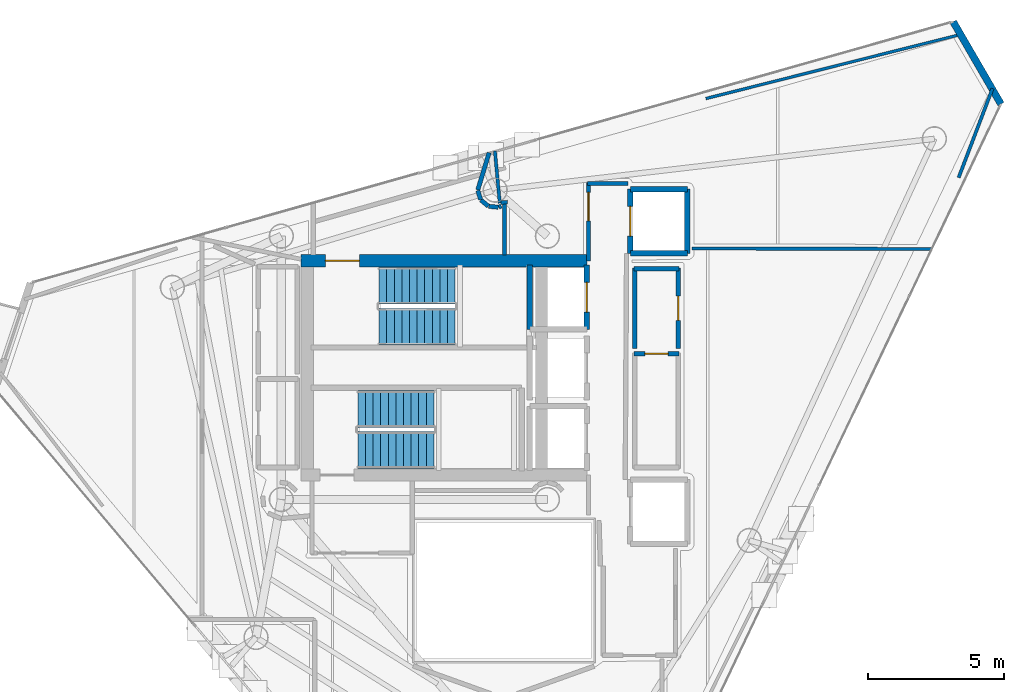
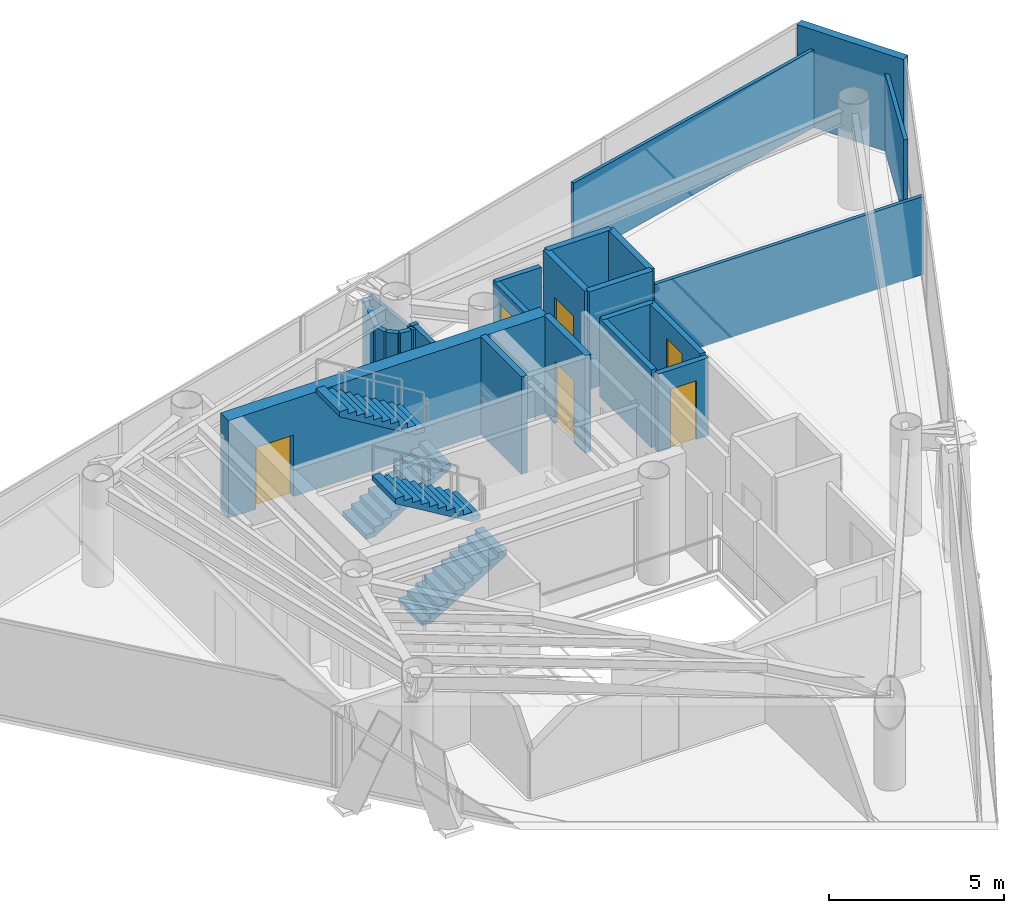
# One storey, part 18 of 20: 25 walls, 6 doors, 4 stair flights, 6 openings, 2 elements without a shape of their own.
"""IFC4 building model written with IfcOpenShell, lengths in metres."""

from ifc_helpers import new_model, si_unit, direction, frame, frame_2d, origin, place, context, subcontext, project, spatial, polyline, rectangle, outline, extrude, material, layer, layer_set, type_object, element, fill, aggregate, save


model = new_model("IFC4")

# Units and contexts
model_context = context("Model", 3, precision=1e-05, world=origin(), true_north=direction((0.0, 1.0)))
body_context = subcontext(model_context, "Body", "Model", "MODEL_VIEW")
ifc_project = project(units=[si_unit("LENGTHUNIT", "METRE"), si_unit("AREAUNIT", "SQUARE_METRE"), si_unit("VOLUMEUNIT", "CUBIC_METRE"), si_unit("PLANEANGLEUNIT", "RADIAN"), si_unit("MASSUNIT", "GRAM", prefix="KILO")], contexts=[model_context])

# Site, building, storey
site_placement = place(None, origin())
site = spatial("IfcSite", under=ifc_project, at=site_placement, CompositionType="ELEMENT")
building_placement = place(site_placement, origin())
building = spatial("IfcBuilding", under=site, at=building_placement, Name="Qianvela Tower", CompositionType="ELEMENT")
storey_placement = place(building_placement, frame((0.0, 0.0, 317.60009765625)))
storey = spatial("IfcBuildingStorey", under=building, at=storey_placement, Name="L82", CompositionType="ELEMENT", Elevation=317.60009765625)

# Wall
ifc_material_1 = material(Name="Terracotta Cladding on Concrete C40", Category="masonry")
ifc_layer_1 = layer(ifc_material_1, 0.260009765625)
ifc_layer_set_1 = layer_set([ifc_layer_1], Name="Terracotta Cladding on Concrete C40")
wall_type_1 = type_object("IfcWallType", Name="TERRACOTTA-WALL-260", PredefinedType="SOLIDWALL", material=ifc_layer_set_1)
wall_1_placement = place(storey_placement, frame((55.100830078125, 38.416259765625, 0.0), z_axis=(0.0, 0.0, 1.0), x_axis=(-0.502036281823, 0.864846559647, 0.0)))
element("IfcWall", 1, at=wall_1_placement, inside=storey, type_object=wall_type_1, Name="L82 Terracotta Chamfer Facet Wall 1", PredefinedType="SOLIDWALL", context=body_context, shape_type="SweptSolid", body=[
    extrude(rectangle(XDim=3.501953125, YDim=0.260009765625, at=frame_2d((1.7509765625, 0.0))), origin(), (0.0, 0.0, 1.0), 3.39990234375),
])

# Wall, opening, door
ifc_material_2 = material(Name="Concrete C50", Category="concrete")
ifc_layer_2 = layer(ifc_material_2, 0.449951171875)
ifc_layer_set_2 = layer_set([ifc_layer_2], Name="Concrete C50")
wall_type_2 = type_object("IfcWallType", Name="WT-CORE-450", PredefinedType="SHEAR", material=ifc_layer_set_2)
wall_2_placement = place(storey_placement, frame((29.330078125, 32.64501953125, 0.0), z_axis=(0.0, 0.0, 1.0), x_axis=(1.0, 0.0, 0.0)))
wall_2 = element("IfcWall", 2, at=wall_2_placement, inside=storey, type_object=wall_type_2, Name="L82 North Core Shear Wall", PredefinedType="SHEAR", context=body_context, shape_type="SweptSolid", body=[
    extrude(rectangle(XDim=10.52001953125, YDim=0.449951171875, at=frame_2d((5.260009765625, 0.0))), origin(), (0.0, 0.0, 1.0), 3.39990234375),
])
opening_1_placement = place(wall_2_placement, frame((0.89501953125, 0.0, 0.0)))
opening_1 = element("IfcOpeningElement", 3, at=opening_1_placement, cuts=wall_2, Name="Opening D-ST1", PredefinedType="OPENING", context=body_context, shape_type="SweptSolid", body=[
    extrude(rectangle(XDim=1.25, YDim=2.14990234375, at=frame_2d((0.625, 1.074951171875))), frame((0.0, 0.23486328125, 0.0), z_axis=(0.0, -1.0, 0.0), x_axis=(1.0, 0.0, 0.0)), (0.0, 0.0, 1.0), 0.469970703125),
])
ifc_material_3 = material(Name="Galvanised Fire Steel Q355B", Category="steel")
door_type_1 = type_object("IfcDoorType", Name="DT-STAIR-FD90", OperationType="NOTDEFINED", PredefinedType="DOOR", material=ifc_material_3)
door_1_placement = place(opening_1_placement, origin())
door_1 = element("IfcDoor", 4, at=door_1_placement, inside=storey, type_object=door_type_1, Name="L82 Stair ST-1 Exit Door", OperationType="SINGLE_SWING_RIGHT", OverallHeight=2.14990234375, OverallWidth=1.25, PredefinedType="DOOR", context=body_context, shape_type="SweptSolid", body=[
    extrude(rectangle(XDim=1.25, YDim=2.14990234375, at=frame_2d((0.625, 1.074951171875))), frame((0.0, 0.02490234375, 0.0), z_axis=(0.0, -1.0, 0.0), x_axis=(1.0, 0.0, 0.0)), (0.0, 0.0, 1.0), 0.050048828125),
])
fill(opening_1, door_1)

# Walls
ifc_material_4 = material(Name="Fire-Rated Gypsum and Concrete Block", Category="concrete")
ifc_layer_3 = layer(ifc_material_4, 0.159912109375)
ifc_layer_set_3 = layer_set([ifc_layer_3], Name="Fire-Rated Gypsum and Concrete Block")
wall_type_3 = type_object("IfcWallType", Name="WT-CORR-160", PredefinedType="PARTITIONING", material=ifc_layer_set_3)
wall_3_placement = place(storey_placement, frame((36.25244140625, 36.6240234375, 0.0), z_axis=(0.0, 0.0, 1.0), x_axis=(-0.290314558178, -0.956931270944, 0.0)))
element("IfcWall", 5, at=wall_3_placement, inside=storey, type_object=wall_type_3, Name="L82 Partition 4", PredefinedType="PARTITIONING", context=body_context, shape_type="SweptSolid", body=[
    extrude(rectangle(XDim=1.433837890625, YDim=0.159912109375, at=frame_2d((0.716796875, 0.0))), origin(), (0.0, 0.0, 1.0), 2.719970703125),
])
wall_4_placement = place(storey_placement, frame((35.836181640625, 35.23388671875, 0.0), z_axis=(0.0, 0.0, 1.0), x_axis=(0.29088731233, -0.956757321124, 0.0)))
element("IfcWall", 6, at=wall_4_placement, inside=storey, type_object=wall_type_3, Name="L82 Partition 5", PredefinedType="PARTITIONING", context=body_context, shape_type="SweptSolid", body=[
    extrude(rectangle(XDim=0.354248046875, YDim=0.159912109375, at=frame_2d((0.17724609375, 0.0))), origin(), (0.0, 0.0, 1.0), 2.719970703125),
])
wall_5_placement = place(storey_placement, frame((35.94921875, 34.880126953125, 0.0), z_axis=(0.0, 0.0, 1.0), x_axis=(0.77300400279, -0.634401144128, 0.0)))
element("IfcWall", 7, at=wall_5_placement, inside=storey, type_object=wall_type_3, Name="L82 Partition 6", PredefinedType="PARTITIONING", context=body_context, shape_type="SweptSolid", body=[
    extrude(rectangle(XDim=0.35400390625, YDim=0.159912109375, at=frame_2d((0.177001953125, 0.0))), origin(), (0.0, 0.0, 1.0), 2.719970703125),
])
wall_6_placement = place(storey_placement, frame((36.239501953125, 34.648681640625, 0.0), z_axis=(0.0, 0.0, 1.0), x_axis=(0.995199611942, -0.097865889817, 0.0)))
element("IfcWall", 8, at=wall_6_placement, inside=storey, type_object=wall_type_3, Name="L82 Partition 7", PredefinedType="PARTITIONING", context=body_context, shape_type="SweptSolid", body=[
    extrude(rectangle(XDim=0.354248046875, YDim=0.159912109375, at=frame_2d((0.17724609375, 0.0))), origin(), (0.0, 0.0, 1.0), 2.719970703125),
])
wall_7_placement = place(storey_placement, frame((36.608154296875, 34.61669921875, 0.0), z_axis=(0.0, 0.0, 1.0), x_axis=(0.905429465341, 0.424496741203, 0.0)))
element("IfcWall", 9, at=wall_7_placement, inside=storey, type_object=wall_type_3, Name="L82 Partition 8", PredefinedType="PARTITIONING", context=body_context, shape_type="SweptSolid", body=[
    extrude(rectangle(XDim=0.099609375, YDim=0.159912109375, at=frame_2d((0.0498046875, 0.0))), origin(), (0.0, 0.0, 1.0), 2.719970703125),
])
wall_8_placement = place(storey_placement, frame((36.819091796875, 34.7646484375, 0.0), z_axis=(0.0, 0.0, 1.0), x_axis=(0.0, -1.0, 0.0)))
element("IfcWall", 10, at=wall_8_placement, inside=storey, type_object=wall_type_3, Name="L82 Partition 9", PredefinedType="PARTITIONING", context=body_context, shape_type="SweptSolid", body=[
    extrude(rectangle(XDim=1.90673828125, YDim=0.159912109375, at=frame_2d((0.953369140625, 0.0))), origin(), (0.0, 0.0, 1.0), 2.719970703125),
])

# Wall, opening, door
wall_9_placement = place(storey_placement, frame((39.910888671875, 32.639892578125, 0.0), z_axis=(0.0, 0.0, 1.0), x_axis=(0.0, 1.0, 0.0)))
wall_9 = element("IfcWall", 11, at=wall_9_placement, inside=storey, type_object=wall_type_3, Name="L82 Partition 20", PredefinedType="PARTITIONING", context=body_context, shape_type="SweptSolid", body=[
    extrude(rectangle(XDim=2.880126953125, YDim=0.159912109375, at=frame_2d((1.43994140625, 0.0))), origin(), (0.0, 0.0, 1.0), 2.719970703125),
])
opening_2_placement = place(wall_9_placement, frame((1.47509765625, 0.0, 0.0)))
opening_2 = element("IfcOpeningElement", 12, at=opening_2_placement, cuts=wall_9, Name="Opening D-PL1", PredefinedType="OPENING", context=body_context, shape_type="SweptSolid", body=[
    extrude(rectangle(XDim=1.050048828125, YDim=2.14990234375, at=frame_2d((0.52490234375, 1.074951171875))), frame((0.0, 0.08984375, 0.0), z_axis=(0.0, -1.0, 0.0), x_axis=(1.0, 0.0, 0.0)), (0.0, 0.0, 1.0), 0.179931640625),
])
ifc_material_5 = material(Name="Insulated Steel Fire Door Q355B", Category="steel")
door_type_2 = type_object("IfcDoorType", Name="DT-PLANT-FD90", OperationType="NOTDEFINED", PredefinedType="DOOR", material=ifc_material_5)
door_2_placement = place(opening_2_placement, origin())
door_2 = element("IfcDoor", 13, at=door_2_placement, inside=storey, type_object=door_type_2, Name="L82 Door Commons Day Lounge L82-04 to L82 Lift Lobby", OperationType="SINGLE_SWING_LEFT", OverallHeight=2.14990234375, OverallWidth=1.050048828125, PredefinedType="DOOR", context=body_context, shape_type="SweptSolid", body=[
    extrude(rectangle(XDim=1.050048828125, YDim=2.14990234375, at=frame_2d((0.52490234375, 1.074951171875))), frame((0.0, 0.02490234375, 0.0), z_axis=(0.0, -1.0, 0.0), x_axis=(1.0, 0.0, 0.0)), (0.0, 0.0, 1.0), 0.050048828125),
])
fill(opening_2, door_2)

# Walls
wall_10_placement = place(storey_placement, frame((39.8798828125, 35.489013671875, 0.0), z_axis=(0.0, 0.0, 1.0), x_axis=(1.0, 0.0, 0.0)))
element("IfcWall", 14, at=wall_10_placement, inside=storey, type_object=wall_type_3, Name="L82 Partition 21", PredefinedType="PARTITIONING", context=body_context, shape_type="SweptSolid", body=[
    extrude(rectangle(XDim=1.480224609375, YDim=0.159912109375, at=frame_2d((0.740234375, 0.0))), origin(), (0.0, 0.0, 1.0), 2.719970703125),
])
ifc_material_6 = material(Name="Lightweight Gypsum Room Partition")
ifc_layer_4 = layer(ifc_material_6, 0.10498046875)
ifc_layer_set_4 = layer_set([ifc_layer_4], Name="Lightweight Gypsum Room Partition")
wall_type_4 = type_object("IfcWallType", Name="WT-PART-105", PredefinedType="PARTITIONING", material=ifc_layer_set_4)
wall_11_placement = place(storey_placement, frame((44.235595703125, 38.6171875, 0.0), z_axis=(0.0, 0.0, 1.0), x_axis=(0.969806681955, 0.243874967219, 0.0)))
element("IfcWall", 15, at=wall_11_placement, inside=storey, type_object=wall_type_4, Name="L82 Partition 102 seg 2", PredefinedType="PARTITIONING", context=body_context, shape_type="SweptSolid", body=[
    extrude(rectangle(XDim=9.691650390625, YDim=0.10498046875, at=frame_2d((4.845703125, 0.0))), origin(), (0.0, 0.0, 1.0), 2.719970703125),
])
ifc_material_7 = material(Name="Insulated Gypsum Stud Partition")
ifc_layer_5 = layer(ifc_material_7, 0.1201171875)
ifc_layer_set_5 = layer_set([ifc_layer_5], Name="Insulated Gypsum Stud Partition")
wall_type_5 = type_object("IfcWallType", Name="WT-PART-120", PredefinedType="PARTITIONING", material=ifc_layer_set_5)
wall_12_placement = place(storey_placement, frame((43.719970703125, 33.09619140625, 0.0), z_axis=(0.0, 0.0, 1.0), x_axis=(0.999997687984, -0.0021503548, 0.0)))
element("IfcWall", 16, at=wall_12_placement, inside=storey, type_object=wall_type_5, Name="L82 Partition 92", PredefinedType="PARTITIONING", context=body_context, shape_type="SweptSolid", body=[
    extrude(rectangle(XDim=8.855712890625, YDim=0.1201171875, at=frame_2d((4.427734375, 0.0))), origin(), (0.0, 0.0, 1.0), 2.719970703125),
])
wall_13_placement = place(storey_placement, frame((54.78955078125, 38.985595703125, 0.0), z_axis=(0.0, 0.0, 1.0), x_axis=(-0.355312580214, -0.93474754364, 0.0)))
element("IfcWall", 17, at=wall_13_placement, inside=storey, type_object=wall_type_5, Name="L82 Partition 104 seg 1", PredefinedType="PARTITIONING", context=body_context, shape_type="SweptSolid", body=[
    extrude(rectangle(XDim=3.509765625, YDim=0.1201171875, at=frame_2d((1.7548828125, 0.0))), origin(), (0.0, 0.0, 1.0), 2.719970703125),
])
wall_14_placement = place(storey_placement, frame((36.645263671875, 34.7646484375, 0.0), z_axis=(0.0, 0.0, 1.0), x_axis=(-0.093054792145, 0.995660989323, 0.0)))
element("IfcWall", 18, at=wall_14_placement, inside=storey, type_object=wall_type_5, Name="L82 Partition 113 seg 1", PredefinedType="PARTITIONING", context=body_context, shape_type="SweptSolid", body=[
    extrude(rectangle(XDim=1.930908203125, YDim=0.1201171875, at=frame_2d((0.96533203125, 0.0))), origin(), (0.0, 0.0, 1.0), 2.719970703125),
])

# Wall, opening, door
ifc_material_8 = material(Name="Moisture-Resistant Acoustic Plumbing Wall")
ifc_layer_6 = layer(ifc_material_8, 0.175048828125)
ifc_layer_set_6 = layer_set([ifc_layer_6], Name="Moisture-Resistant Acoustic Plumbing Wall")
wall_type_6 = type_object("IfcWallType", Name="WT-PLUMB-175", PredefinedType="PLUMBINGWALL", material=ifc_layer_set_6)
wall_15_placement = place(storey_placement, frame((41.580078125, 29.218994140625, 0.0), z_axis=(0.0, 0.0, 1.0), x_axis=(1.0, 0.0, 0.0)))
wall_15 = element("IfcWall", 19, at=wall_15_placement, inside=storey, type_object=wall_type_6, Name="L82 Partition 29", PredefinedType="PLUMBINGWALL", context=body_context, shape_type="SweptSolid", body=[
    extrude(rectangle(XDim=1.669921875, YDim=0.175048828125, at=frame_2d((0.8349609375, 0.0))), origin(), (0.0, 0.0, 1.0), 2.719970703125),
])
opening_3_placement = place(wall_15_placement, frame((0.405029296875, 0.0, 0.0)))
opening_3 = element("IfcOpeningElement", 20, at=opening_3_placement, cuts=wall_15, Name="Opening D-WC1", PredefinedType="OPENING", context=body_context, shape_type="SweptSolid", body=[
    extrude(rectangle(XDim=0.860107421875, YDim=2.050048828125, at=frame_2d((0.43017578125, 1.02490234375))), frame((0.0, 0.097412109375, 0.0), z_axis=(0.0, -1.0, 0.0), x_axis=(1.0, 0.0, 0.0)), (0.0, 0.0, 1.0), 0.195068359375),
])
ifc_material_9 = material(Name="Moisture-Sealed Acoustic Timber Door", Category="wood")
door_type_3 = type_object("IfcDoorType", Name="DT-WC-860", OperationType="NOTDEFINED", PredefinedType="DOOR", material=ifc_material_9)
door_3_placement = place(opening_3_placement, origin())
door_3 = element("IfcDoor", 21, at=door_3_placement, inside=storey, type_object=door_type_3, Name="L82 Door L82 Accessible WC to L82 Shared Tea Pantry East", OperationType="SINGLE_SWING_LEFT", OverallHeight=2.050048828125, OverallWidth=0.860107421875, PredefinedType="DOOR", context=body_context, shape_type="SweptSolid", body=[
    extrude(rectangle(XDim=0.860107421875, YDim=2.050048828125, at=frame_2d((0.43017578125, 1.02490234375))), frame((0.0, 0.02490234375, 0.0), z_axis=(0.0, -1.0, 0.0), x_axis=(1.0, 0.0, 0.0)), (0.0, 0.0, 1.0), 0.050048828125),
])
fill(opening_3, door_3)

# Walls
wall_16_placement = place(storey_placement, frame((41.611083984375, 29.409912109375, 0.0), z_axis=(0.0, 0.0, 1.0), x_axis=(0.0, 1.0, 0.0)))
element("IfcWall", 22, at=wall_16_placement, inside=storey, type_object=wall_type_6, Name="L82 Partition 32", PredefinedType="PLUMBINGWALL", context=body_context, shape_type="SweptSolid", body=[
    extrude(rectangle(XDim=2.969970703125, YDim=0.175048828125, at=frame_2d((1.48486328125, 0.0))), origin(), (0.0, 0.0, 1.0), 2.719970703125),
])
wall_17_placement = place(storey_placement, frame((41.580078125, 32.34912109375, 0.0), z_axis=(0.0, 0.0, 1.0), x_axis=(1.0, 0.0, 0.0)))
element("IfcWall", 23, at=wall_17_placement, inside=storey, type_object=wall_type_6, Name="L82 Partition 33", PredefinedType="PLUMBINGWALL", context=body_context, shape_type="SweptSolid", body=[
    extrude(rectangle(XDim=1.669921875, YDim=0.175048828125, at=frame_2d((0.8349609375, 0.0))), origin(), (0.0, 0.0, 1.0), 2.719970703125),
])

# Wall, opening, door
wall_18_placement = place(storey_placement, frame((43.218994140625, 32.3798828125, 0.0), z_axis=(0.0, 0.0, 1.0), x_axis=(0.0, -1.0, 0.0)))
wall_18 = element("IfcWall", 24, at=wall_18_placement, inside=storey, type_object=wall_type_6, Name="L82 Partition 34", PredefinedType="PLUMBINGWALL", context=body_context, shape_type="SweptSolid", body=[
    extrude(rectangle(XDim=2.969970703125, YDim=0.175048828125, at=frame_2d((1.48486328125, 0.0))), origin(), (0.0, 0.0, 1.0), 2.719970703125),
])
opening_4_placement = place(wall_18_placement, frame((1.034912109375, 0.0, 0.0)))
opening_4 = element("IfcOpeningElement", 25, at=opening_4_placement, cuts=wall_18, Name="Opening D-KT1", PredefinedType="OPENING", context=body_context, shape_type="SweptSolid", body=[
    extrude(rectangle(XDim=0.89990234375, YDim=2.10009765625, at=frame_2d((0.449951171875, 1.050048828125))), frame((0.0, 0.097412109375, 0.0), z_axis=(0.0, -1.0, 0.0), x_axis=(1.0, 0.0, 0.0)), (0.0, 0.0, 1.0), 0.195068359375),
])
ifc_material_10 = material(Name="Glazed Timber Kitchen Door", Category="wood")
door_type_4 = type_object("IfcDoorType", Name="DT-KITCH-900", OperationType="NOTDEFINED", PredefinedType="DOOR", material=ifc_material_10)
door_4_placement = place(opening_4_placement, origin())
door_4 = element("IfcDoor", 26, at=door_4_placement, inside=storey, type_object=door_type_4, Name="L82 Door L82 Shared Tea Pantry East to Project Huddle Conference L82-02", OperationType="SINGLE_SWING_RIGHT", OverallHeight=2.10009765625, OverallWidth=0.89990234375, PredefinedType="DOOR", context=body_context, shape_type="SweptSolid", body=[
    extrude(rectangle(XDim=0.89990234375, YDim=2.10009765625, at=frame_2d((0.449951171875, 1.050048828125))), frame((0.0, 0.02490234375, 0.0), z_axis=(0.0, -1.0, 0.0), x_axis=(1.0, 0.0, 0.0)), (0.0, 0.0, 1.0), 0.050048828125),
])
fill(opening_4, door_4)

# Wall
ifc_material_11 = material(Name="Acoustic Double Gypsum Stud Partition")
ifc_layer_7 = layer(ifc_material_11, 0.139892578125)
ifc_layer_set_7 = layer_set([ifc_layer_7], Name="Acoustic Double Gypsum Stud Partition")
wall_type_7 = type_object("IfcWallType", Name="WT-ROOM-140", PredefinedType="PARTITIONING", material=ifc_layer_set_7)
wall_19_placement = place(storey_placement, frame((36.927734375, 34.8037109375, 0.0), z_axis=(0.0, 0.0, 1.0), x_axis=(-0.998281456217, -0.058601486101, 0.0)))
element("IfcWall", 27, at=wall_19_placement, inside=storey, type_object=wall_type_7, Name="L82 Partition 112 seg 1", PredefinedType="PARTITIONING", context=body_context, shape_type="SweptSolid", body=[
    extrude(rectangle(XDim=0.237548828125, YDim=0.139892578125, at=frame_2d((0.11865234375, 0.0))), origin(), (0.0, 0.0, 1.0), 2.719970703125),
])

# Wall, opening, door
ifc_material_12 = material(Name="Concrete C50", Category="concrete")
ifc_layer_8 = layer(ifc_material_12, 0.199951171875)
ifc_layer_set_8 = layer_set([ifc_layer_8], Name="Concrete C50")
wall_type_8 = type_object("IfcWallType", Name="WT-SHAFT-200", PredefinedType="SOLIDWALL", material=ifc_layer_set_8)
wall_20_placement = place(storey_placement, frame((39.85009765625, 30.1201171875, 0.0), z_axis=(0.0, 0.0, 1.0), x_axis=(0.0, 1.0, 0.0)))
wall_20 = element("IfcWall", 28, at=wall_20_placement, inside=storey, type_object=wall_type_8, Name="L82 Lift FL-1 E Shaft Wall", PredefinedType="SOLIDWALL", context=body_context, shape_type="SweptSolid", body=[
    extrude(rectangle(XDim=2.35986328125, YDim=0.199951171875, at=frame_2d((1.179931640625, 0.0))), origin(), (0.0, 0.0, 1.0), 3.39990234375),
])
opening_5_placement = place(wall_20_placement, frame((0.6298828125, 0.0, 0.0)))
opening_5 = element("IfcOpeningElement", 29, at=opening_5_placement, cuts=wall_20, Name="Opening LD-01", PredefinedType="OPENING", context=body_context, shape_type="SweptSolid", body=[
    extrude(rectangle(XDim=1.10009765625, YDim=2.14990234375, at=frame_2d((0.550048828125, 1.074951171875))), frame((0.0, 0.10986328125, 0.0), z_axis=(0.0, -1.0, 0.0), x_axis=(1.0, 0.0, 0.0)), (0.0, 0.0, 1.0), 0.219970703125),
])
ifc_material_13 = material(Name="Brushed Stainless Steel Lift Landing Door", Category="steel")
door_type_5 = type_object("IfcDoorType", Name="DT-LIFT-SLIDE-1100", OperationType="SLIDING_TO_LEFT", PredefinedType="DOOR", material=ifc_material_13)
door_5_placement = place(opening_5_placement, origin())
door_5 = element("IfcDoor", 30, at=door_5_placement, inside=storey, type_object=door_type_5, Name="L82 Lift FL-1 Sliding Landing Door", OperationType="SLIDING_TO_LEFT", OverallHeight=2.14990234375, OverallWidth=1.10009765625, PredefinedType="DOOR", context=body_context, shape_type="SweptSolid", body=[
    extrude(rectangle(XDim=1.10009765625, YDim=2.14990234375, at=frame_2d((0.550048828125, 1.074951171875))), frame((0.0, 0.02490234375, 0.0), z_axis=(0.0, -1.0, 0.0), x_axis=(1.0, 0.0, 0.0)), (0.0, 0.0, 1.0), 0.050048828125),
])
fill(opening_5, door_5)

# Walls
wall_21_placement = place(storey_placement, frame((37.75, 30.1201171875, 0.0), z_axis=(0.0, 0.0, 1.0), x_axis=(0.0, 1.0, 0.0)))
element("IfcWall", 31, at=wall_21_placement, inside=storey, type_object=wall_type_8, Name="L82 Lift FL-1 W Shaft Wall", PredefinedType="SOLIDWALL", context=body_context, shape_type="SweptSolid", body=[
    extrude(rectangle(XDim=2.35986328125, YDim=0.199951171875, at=frame_2d((1.179931640625, 0.0))), origin(), (0.0, 0.0, 1.0), 3.39990234375),
])
wall_22_placement = place(storey_placement, frame((43.550048828125, 32.919921875, 0.0), z_axis=(0.0, 0.0, 1.0), x_axis=(0.0, 1.0, 0.0)))
element("IfcWall", 32, at=wall_22_placement, inside=storey, type_object=wall_type_8, Name="L82 Lift PL-H3 E Shaft Wall", PredefinedType="SOLIDWALL", context=body_context, shape_type="SweptSolid", body=[
    extrude(rectangle(XDim=2.360107421875, YDim=0.199951171875, at=frame_2d((1.18017578125, 0.0))), origin(), (0.0, 0.0, 1.0), 3.39990234375),
])

# Wall, opening, door
wall_23_placement = place(storey_placement, frame((41.449951171875, 32.919921875, 0.0), z_axis=(0.0, 0.0, 1.0), x_axis=(0.0, 1.0, 0.0)))
wall_23 = element("IfcWall", 33, at=wall_23_placement, inside=storey, type_object=wall_type_8, Name="L82 Lift PL-H3 W Shaft Wall", PredefinedType="SOLIDWALL", context=body_context, shape_type="SweptSolid", body=[
    extrude(rectangle(XDim=2.360107421875, YDim=0.199951171875, at=frame_2d((1.18017578125, 0.0))), origin(), (0.0, 0.0, 1.0), 3.39990234375),
])
opening_6_placement = place(wall_23_placement, frame((0.6298828125, 0.0, 0.0)))
opening_6 = element("IfcOpeningElement", 34, at=opening_6_placement, cuts=wall_23, Name="Opening LD-01", PredefinedType="OPENING", context=body_context, shape_type="SweptSolid", body=[
    extrude(rectangle(XDim=1.10009765625, YDim=2.14990234375, at=frame_2d((0.550048828125, 1.074951171875))), frame((0.0, 0.10986328125, 0.0), z_axis=(0.0, -1.0, 0.0), x_axis=(1.0, 0.0, 0.0)), (0.0, 0.0, 1.0), 0.219970703125),
])
door_6_placement = place(opening_6_placement, origin())
door_6 = element("IfcDoor", 35, at=door_6_placement, inside=storey, type_object=door_type_5, Name="L82 Lift PL-H3 Sliding Landing Door", OperationType="SLIDING_TO_LEFT", OverallHeight=2.14990234375, OverallWidth=1.10009765625, PredefinedType="DOOR", context=body_context, shape_type="SweptSolid", body=[
    extrude(rectangle(XDim=1.10009765625, YDim=2.14990234375, at=frame_2d((0.550048828125, 1.074951171875))), frame((0.0, 0.02490234375, 0.0), z_axis=(0.0, -1.0, 0.0), x_axis=(1.0, 0.0, 0.0)), (0.0, 0.0, 1.0), 0.050048828125),
])
fill(opening_6, door_6)

# Walls
for number, where, z_axis, x_axis, name in (
    (36, (41.449951171875, 35.280029296875, 0.0), (0.0, 0.0, 1.0), (1.0, 0.0, 0.0), "L82 Lift PL-H3 N Shaft Wall"),
    (37, (41.449951171875, 32.919921875, 0.0), (0.0, 0.0, 1.0), (1.0, 0.0, 0.0), "L82 Lift PL-H3 S Shaft Wall"),
):
    element("IfcWall", number, at=place(storey_placement, frame(where, z_axis=z_axis, x_axis=x_axis)), inside=storey, type_object=wall_type_8, Name=name, PredefinedType="SOLIDWALL", context=body_context, shape_type="SweptSolid", body=[
        extrude(rectangle(XDim=2.10009765625, YDim=0.199951171875, at=frame_2d((1.050048828125, 0.0))), origin(), (0.0, 0.0, 1.0), 3.39990234375),
    ])

# Stair, stair flights
ifc_material_14 = material(Name="Concrete C40", Category="concrete")
stair_type = type_object("IfcStairType", Name="ST-DOGLEG-1350-R168-N22", PredefinedType="HALF_TURN_STAIR", material=ifc_material_14)
stair_1_placement = place(storey_placement, origin())
stair_1 = element("IfcStair", 38, at=stair_1_placement, inside=storey, type_object=stair_type, Name="L82 Smoke-Proof Core Stair ST-1", PredefinedType="HALF_TURN_STAIR")
ifc_material_15 = material(Name="Concrete C40", Category="concrete")
stair_flight_type = type_object("IfcStairFlightType", Name="STF-STRAIGHT-R168-P11", PredefinedType="STRAIGHT", material=ifc_material_15)
stair_flight_1_placement = place(storey_placement, frame((32.199951171875, 30.215087890625, 0.0), z_axis=(0.0, 0.0, 1.0), x_axis=(1.0, 0.0, 0.0)))
stair_flight_1 = element("IfcStairFlight", 39, at=stair_flight_1_placement, type_object=stair_flight_type, Name="ST-1 flight 1", NumberOfRisers=11, NumberOfTreads=10, PredefinedType="STRAIGHT", RiserHeight=0.168181818, TreadLength=0.28, context=body_context, shape_type="SweptSolid", body=[
    extrude(outline(polyline([(0.0, 0.0), (0.0, 0.168212890625), (0.280029296875, 0.168212890625), (0.280029296875, 0.33642578125), (0.56005859375, 0.33642578125), (0.56005859375, 0.504638671875), (0.840087890625, 0.504638671875), (0.840087890625, 0.672607421875), (1.1201171875, 0.672607421875), (1.1201171875, 0.8408203125), (1.39990234375, 0.8408203125), (1.39990234375, 1.009033203125), (1.679931640625, 1.009033203125), (1.679931640625, 1.17724609375), (1.9599609375, 1.17724609375), (1.9599609375, 1.345458984375), (2.239990234375, 1.345458984375), (2.239990234375, 1.513671875), (2.52001953125, 1.513671875), (2.52001953125, 1.681884765625), (2.800048828125, 1.681884765625), (2.800048828125, 1.85009765625), (2.800048828125, 1.5068359375), (0.291015625, 0.0), (0.0, 0.0)])), frame((0.0, 0.675048828125, 0.0), z_axis=(0.0, -1.0, 0.0), x_axis=(1.0, 0.0, 0.0)), (0.0, 0.0, 1.0), 1.35009765625),
])
stair_flight_2_placement = place(storey_placement, frame((35.0, 31.72509765625, 1.849853515625), z_axis=(0.0, 0.0, 1.0), x_axis=(-1.0, 0.0, 0.0)))
stair_flight_2 = element("IfcStairFlight", 40, at=stair_flight_2_placement, type_object=stair_flight_type, Name="ST-1 flight 2", NumberOfRisers=11, NumberOfTreads=10, PredefinedType="STRAIGHT", RiserHeight=0.168181818, TreadLength=0.28, context=body_context, shape_type="SweptSolid", body=[
    extrude(outline(polyline([(0.0, 0.0), (0.0, 0.168212890625), (0.280029296875, 0.168212890625), (0.280029296875, 0.33642578125), (0.56005859375, 0.33642578125), (0.56005859375, 0.504638671875), (0.840087890625, 0.504638671875), (0.840087890625, 0.672607421875), (1.1201171875, 0.672607421875), (1.1201171875, 0.8408203125), (1.39990234375, 0.8408203125), (1.39990234375, 1.009033203125), (1.679931640625, 1.009033203125), (1.679931640625, 1.17724609375), (1.9599609375, 1.17724609375), (1.9599609375, 1.345458984375), (2.239990234375, 1.345458984375), (2.239990234375, 1.513671875), (2.52001953125, 1.513671875), (2.52001953125, 1.681884765625), (2.800048828125, 1.681884765625), (2.800048828125, 1.85009765625), (2.800048828125, 1.5068359375), (0.291015625, 0.0), (0.0, 0.0)])), frame((0.0, 0.675048828125, 0.0), z_axis=(0.0, -1.0, 0.0), x_axis=(1.0, 0.0, 0.0)), (0.0, 0.0, 1.0), 1.35009765625),
])
aggregate(stair_1, [stair_flight_1, stair_flight_2])

stair_2_placement = place(storey_placement, origin())
stair_2 = element("IfcStair", 41, at=stair_2_placement, inside=storey, type_object=stair_type, Name="L82 Smoke-Proof Core Stair ST-2", PredefinedType="HALF_TURN_STAIR")
stair_flight_3_placement = place(storey_placement, frame((31.419921875, 25.675048828125, 0.0), z_axis=(0.0, 0.0, 1.0), x_axis=(1.0, 0.0, 0.0)))
stair_flight_3 = element("IfcStairFlight", 42, at=stair_flight_3_placement, type_object=stair_flight_type, Name="ST-2 flight 1", NumberOfRisers=11, NumberOfTreads=10, PredefinedType="STRAIGHT", RiserHeight=0.168181818, TreadLength=0.28, context=body_context, shape_type="SweptSolid", body=[
    extrude(outline(polyline([(0.0, 0.0), (0.0, 0.168212890625), (0.280029296875, 0.168212890625), (0.280029296875, 0.33642578125), (0.56005859375, 0.33642578125), (0.56005859375, 0.504638671875), (0.840087890625, 0.504638671875), (0.840087890625, 0.672607421875), (1.1201171875, 0.672607421875), (1.1201171875, 0.8408203125), (1.39990234375, 0.8408203125), (1.39990234375, 1.009033203125), (1.679931640625, 1.009033203125), (1.679931640625, 1.17724609375), (1.9599609375, 1.17724609375), (1.9599609375, 1.345458984375), (2.239990234375, 1.345458984375), (2.239990234375, 1.513671875), (2.52001953125, 1.513671875), (2.52001953125, 1.681884765625), (2.800048828125, 1.681884765625), (2.800048828125, 1.85009765625), (2.800048828125, 1.5068359375), (0.291015625, 0.0), (0.0, 0.0)])), frame((0.0, 0.675048828125, 0.0), z_axis=(0.0, -1.0, 0.0), x_axis=(1.0, 0.0, 0.0)), (0.0, 0.0, 1.0), 1.35009765625),
])
stair_flight_4_placement = place(storey_placement, frame((34.219970703125, 27.18505859375, 1.849853515625), z_axis=(0.0, 0.0, 1.0), x_axis=(-1.0, 0.0, 0.0)))
stair_flight_4 = element("IfcStairFlight", 43, at=stair_flight_4_placement, type_object=stair_flight_type, Name="ST-2 flight 2", NumberOfRisers=11, NumberOfTreads=10, PredefinedType="STRAIGHT", RiserHeight=0.168181818, TreadLength=0.28, context=body_context, shape_type="SweptSolid", body=[
    extrude(outline(polyline([(0.0, 0.0), (0.0, 0.168212890625), (0.280029296875, 0.168212890625), (0.280029296875, 0.33642578125), (0.56005859375, 0.33642578125), (0.56005859375, 0.504638671875), (0.840087890625, 0.504638671875), (0.840087890625, 0.672607421875), (1.1201171875, 0.672607421875), (1.1201171875, 0.8408203125), (1.39990234375, 0.8408203125), (1.39990234375, 1.009033203125), (1.679931640625, 1.009033203125), (1.679931640625, 1.17724609375), (1.9599609375, 1.17724609375), (1.9599609375, 1.345458984375), (2.239990234375, 1.345458984375), (2.239990234375, 1.513671875), (2.52001953125, 1.513671875), (2.52001953125, 1.681884765625), (2.800048828125, 1.681884765625), (2.800048828125, 1.85009765625), (2.800048828125, 1.5068359375), (0.291015625, 0.0), (0.0, 0.0)])), frame((0.0, 0.675048828125, 0.0), z_axis=(0.0, -1.0, 0.0), x_axis=(1.0, 0.0, 0.0)), (0.0, 0.0, 1.0), 1.35009765625),
])
aggregate(stair_2, [stair_flight_3, stair_flight_4])

save(model, "model.ifc")
